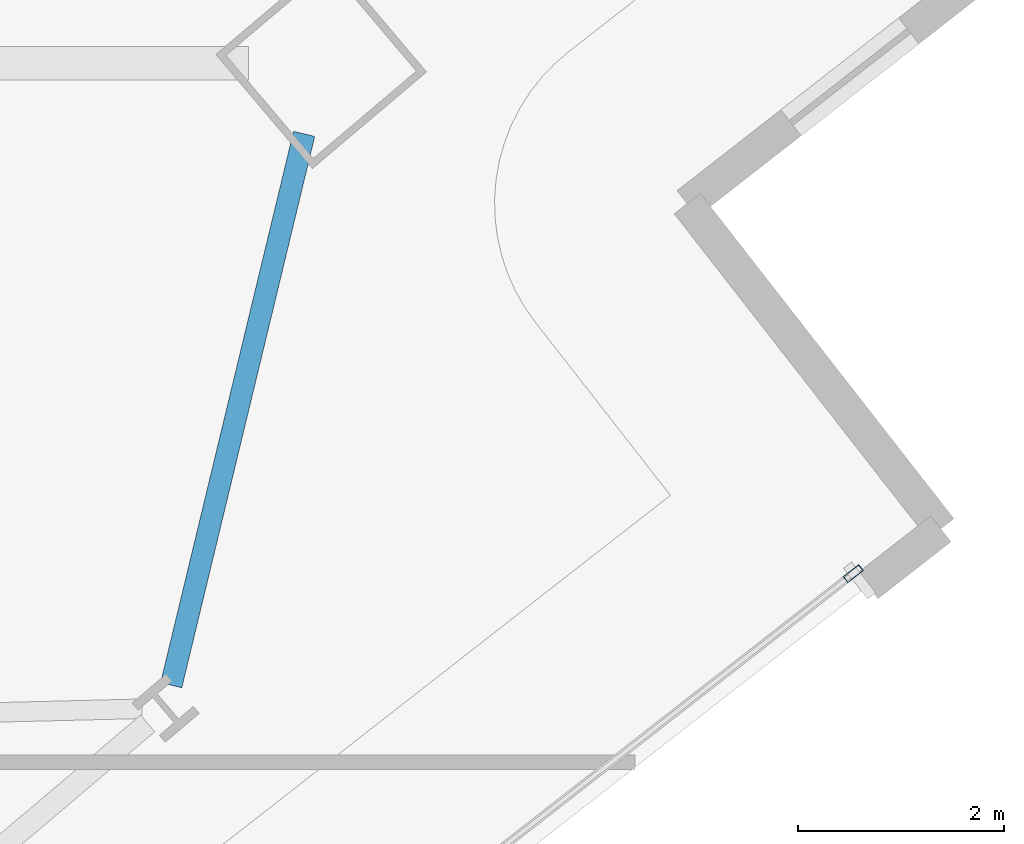
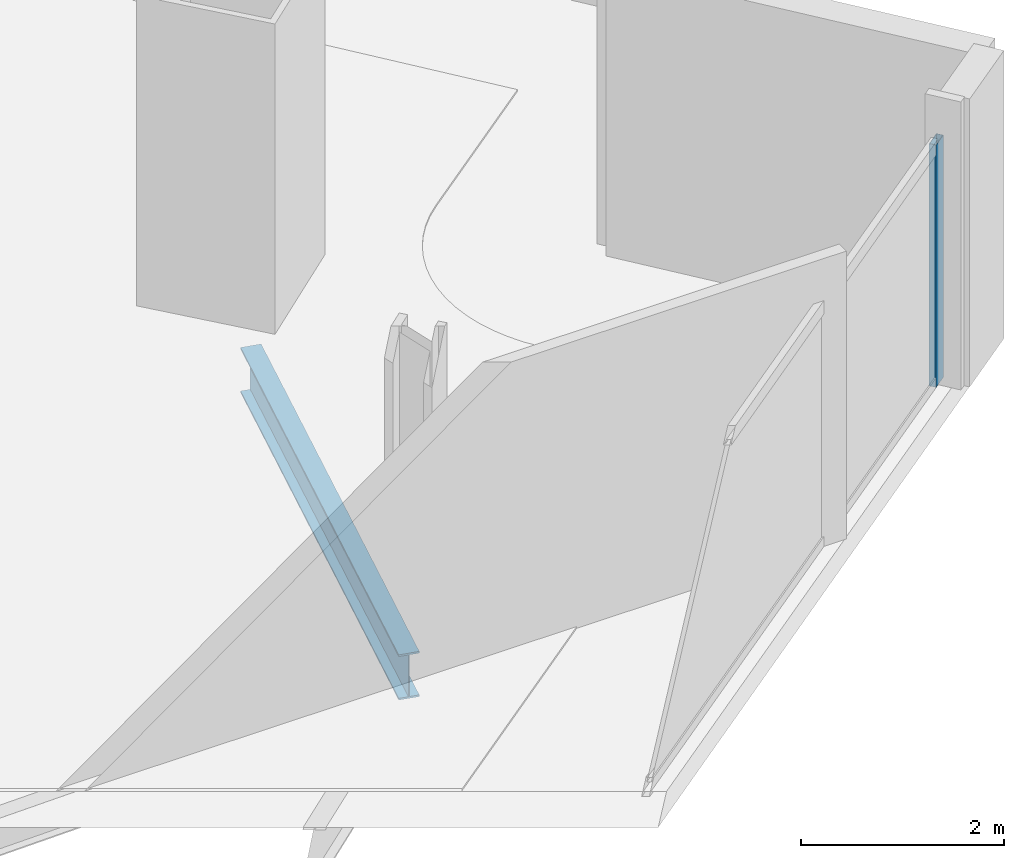
# One storey, part 11 of 32: 1 beam, 1 member, 1 element without a shape of its own.
"""IFC4 building model written with IfcOpenShell, lengths in metres."""

from ifc_helpers import new_model, si_unit, direction, frame, origin, origin_2d, place, context, subcontext, project, spatial, hollow_rectangle, i_section, extrude, material, material_profile, profile_set, type_object, element, aggregate, save


model = new_model("IFC4")

# Units and contexts
model_context = context("Model", 3, precision=1e-05, world=origin(), true_north=direction((0.0, 1.0)))
body_context = subcontext(model_context, "Body", "Model", "MODEL_VIEW")
ifc_project = project(units=[si_unit("LENGTHUNIT", "METRE"), si_unit("AREAUNIT", "SQUARE_METRE"), si_unit("VOLUMEUNIT", "CUBIC_METRE"), si_unit("PLANEANGLEUNIT", "RADIAN"), si_unit("MASSUNIT", "GRAM", prefix="KILO")], contexts=[model_context])

# Site, building, storey
site_placement = place(None, origin())
site = spatial("IfcSite", under=ifc_project, at=site_placement, CompositionType="ELEMENT")
building_placement = place(site_placement, origin())
building = spatial("IfcBuilding", under=site, at=building_placement, Name="Haldenkirk Collegiate Tower", CompositionType="ELEMENT")
storey_placement = place(building_placement, frame((0.0, 0.0, 155.699951171875)))
storey = spatial("IfcBuildingStorey", under=building, at=storey_placement, Name="L38", CompositionType="ELEMENT", Elevation=155.699951171875)

# Beam
ifc_material_1 = material(Name="Steel ASTM A992 Grade 50", Category="steel")
ifc_material_profile_1 = material_profile(ifc_material_1, i_section(OverallWidth=0.2119140625, OverallDepth=0.5439453125, WebThickness=0.01318359375, FlangeThickness=0.021240234375, at=origin_2d()), Name="W21X83")
ifc_profile_set_1 = profile_set([ifc_material_profile_1], Name="Steel ASTM A992 Grade 50")
beam_type = type_object("IfcBeamType", Name="BM-SPANDREL-W21X83", PredefinedType="SPANDREL", material=ifc_profile_set_1)
beam_placement = place(storey_placement, frame((60.010009765625, 18.595458984375, -0.56201171875), z_axis=(0.23444531808, 0.972129308698, 0.0), x_axis=(-0.972129308698, 0.23444531808, 0.0)))
element("IfcBeam", 1, at=beam_placement, inside=storey, type_object=beam_type, Name="L38 perimeter spandrel beam 04", PredefinedType="SPANDREL", context=body_context, shape_type="SweptSolid", body=[
    extrude(i_section(OverallWidth=0.2119140625, OverallDepth=0.5439453125, WebThickness=0.01318359375, FlangeThickness=0.021240234375, at=origin_2d()), origin(), (0.0, 0.0, 1.0), 5.50146484375),
])

# Curtain wall, member
ifc_material_2 = material(Name="Anodised architectural bronze aluminium", Category="aluminium")
curtain_wall_type = type_object("IfcCurtainWallType", Name="CW-SYS2-CONCAVE", PredefinedType="USERDEFINED", material=ifc_material_2)
curtain_wall_placement = place(storey_placement, origin())
curtain_wall = element("IfcCurtainWall", 2, at=curtain_wall_placement, inside=storey, type_object=curtain_wall_type, Name="L38 South concave recessed bronze-anodised curtain wall", ObjectType="UNITISED CURTAIN WALL", PredefinedType="USERDEFINED")
ifc_material_profile_2 = material_profile(ifc_material_2, hollow_rectangle(XDim=0.074951171875, YDim=0.18994140625, WallThickness=0.0048828125, at=origin_2d()), Name="CW-MUL-02")
ifc_profile_set_2 = profile_set([ifc_material_profile_2], Name="Anodised architectural bronze aluminium")
member_type = type_object("IfcMemberType", Name="CW-MUL-02", PredefinedType="MULLION", material=ifc_profile_set_2)
member_placement = place(storey_placement, frame((66.626708984375, 19.677734375, 0.0), z_axis=(0.0, 0.0, 1.0), x_axis=(0.614973604921, -0.788547693707, 0.0)))
member = element("IfcMember", 3, at=member_placement, type_object=member_type, Name="CW-02 mullion 1", PredefinedType="MULLION", context=body_context, shape_type="SweptSolid", body=[
    extrude(hollow_rectangle(XDim=0.074951171875, YDim=0.18994140625, WallThickness=0.0048828125, at=origin_2d()), origin(), (0.0, 0.0, 1.0), 2.9111328125),
])
aggregate(curtain_wall, [member])

save(model, "model.ifc")
